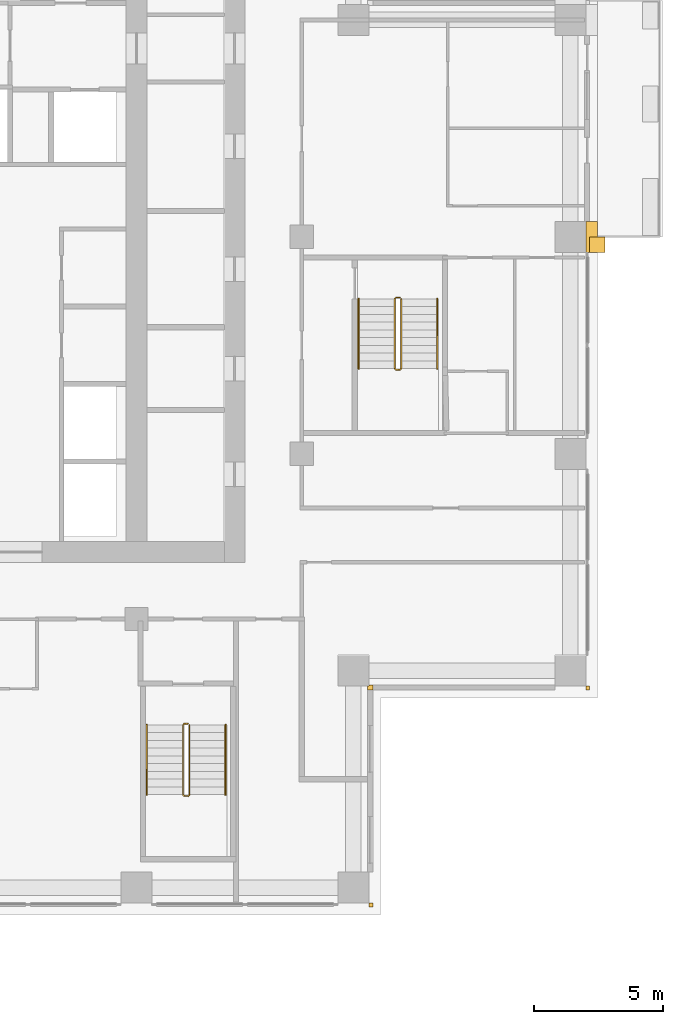
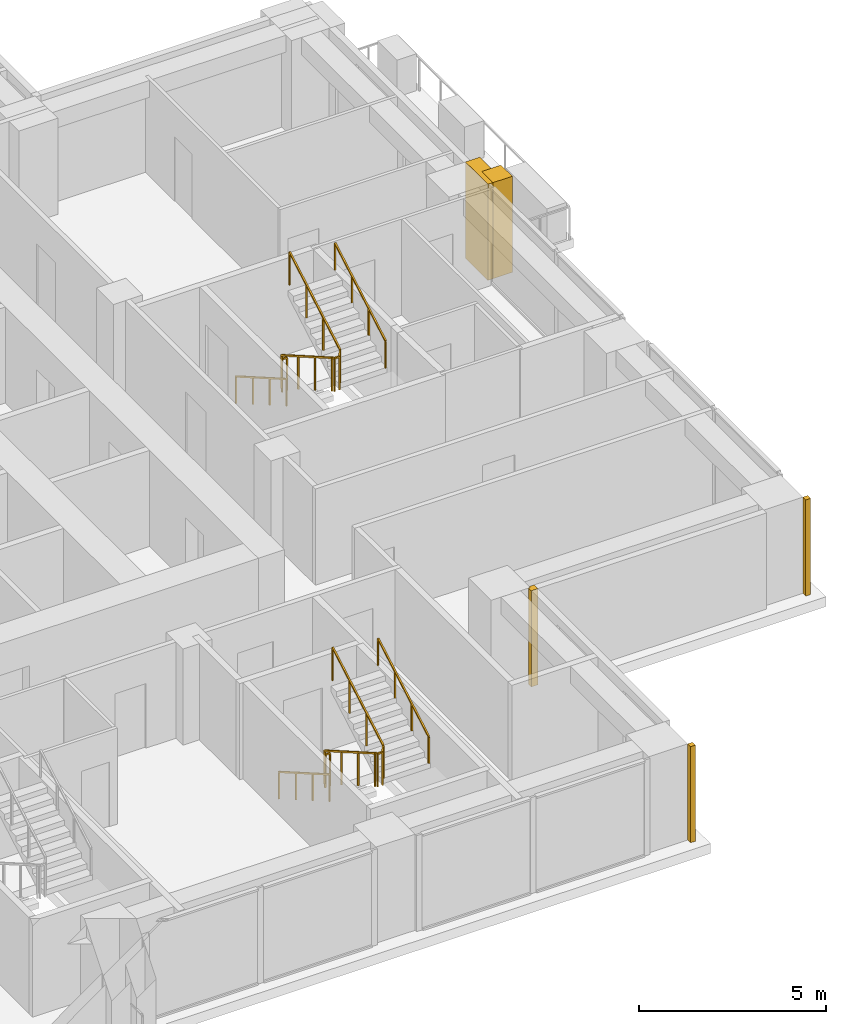
# One storey, part 14 of 16: 6 railings, 5 coverings.
"""IFC4 building model written with IfcOpenShell, lengths in metres."""

import ifcopenshell
import ifcopenshell.guid

model = None  # the IFC model being written
_history = None  # IfcOwnerHistory: only IFC2X3 demands one
_inside = {}  # id of a spatial element -> (the spatial element, [elements in it])
_under = {}  # id of a project, library or spatial element -> (it, [spatial elements below it])
_declared = {}  # id of a project -> (the project, [libraries it declares])
_typed = {}  # id of a type object -> (the type object, [elements of that type])
_made_of = {}  # id of a material, layer set ... -> (it, [elements and type objects made of it])


def new_model(schema):
    """Start an empty IFC model of exactly this schema.

    Asked for "IFC4X3", IfcOpenShell would pick the latest addendum, in which some entities
    have other attributes; the version numbers below select the first issue.
    IFC2X3 requires an IfcOwnerHistory on every rooted entity: one is made here for all.
    """
    global model, _history
    if schema == "IFC4X3":
        model = ifcopenshell.file(schema_version=(4, 3, 0, 0))
    else:
        model = ifcopenshell.file(schema=schema)
    _inside.clear()
    _under.clear()
    _declared.clear()
    _typed.clear()
    _made_of.clear()
    _history = None
    if model.schema == "IFC2X3":
        org = make("IfcOrganization", Name="unknown")
        user = make(
            "IfcPersonAndOrganization",
            ThePerson=make("IfcPerson", FamilyName="unknown"),
            TheOrganization=org,
        )
        app = make(
            "IfcApplication",
            ApplicationDeveloper=org,
            Version="unknown",
            ApplicationFullName="unknown",
            ApplicationIdentifier="unknown",
        )
        _history = make(
            "IfcOwnerHistory",
            OwningUser=user,
            OwningApplication=app,
            ChangeAction="ADDED",
            CreationDate=0,
        )
    return model


def make(cls, **values):
    """One entity of the class cls with the attributes given. An attribute that is None is left unset."""
    return model.create_entity(
        cls, **{name: value for name, value in values.items() if value is not None}
    )


def rooted(cls, **values):
    """An entity with a GlobalId (a new one), such as an element, a storey or a relation."""
    return make(cls, GlobalId=ifcopenshell.guid.new(), OwnerHistory=_history, **values)


def si_unit(unit_type, name, prefix=None):
    """IfcSIUnit, for example si_unit("LENGTHUNIT", "METRE", prefix="MILLI")."""
    return make("IfcSIUnit", UnitType=unit_type, Prefix=prefix, Name=name)


def assignment(units):
    """IfcUnitAssignment: the units of a project."""
    return None if units is None else make("IfcUnitAssignment", Units=units)


def point(xyz):
    """IfcCartesianPoint."""
    return None if xyz is None else make("IfcCartesianPoint", Coordinates=xyz)


def direction(xyz):
    """IfcDirection."""
    return None if xyz is None else make("IfcDirection", DirectionRatios=xyz)


def frame(location, z_axis=None, x_axis=None):
    """IfcAxis2Placement3D, a coordinate frame: its origin and axes. An axis left out is left unset."""
    return make(
        "IfcAxis2Placement3D",
        Location=point(location),
        Axis=direction(z_axis),
        RefDirection=direction(x_axis),
    )


def frame_2d(location, x_axis=None):
    """IfcAxis2Placement2D, a coordinate frame in the plane: its origin and x axis."""
    return make(
        "IfcAxis2Placement2D", Location=point(location), RefDirection=direction(x_axis)
    )


def origin():
    """The frame at (0, 0, 0) with its axes left unset."""
    return frame((0.0, 0.0, 0.0))


def origin_2d():
    """The frame at (0, 0) in the plane with its x axis left unset."""
    return frame_2d((0.0, 0.0))


def place(relative_to, where):
    """IfcLocalPlacement: puts the frame where relative to a parent placement (None: the world)."""
    return make(
        "IfcLocalPlacement", PlacementRelTo=relative_to, RelativePlacement=where
    )


def context(
    kind, dimensions, precision=None, world=None, true_north=None, identifier=None
):
    """IfcGeometricRepresentationContext, for example the 3D "Model" context."""
    return make(
        "IfcGeometricRepresentationContext",
        ContextIdentifier=identifier,
        ContextType=kind,
        CoordinateSpaceDimension=dimensions,
        Precision=precision,
        WorldCoordinateSystem=world,
        TrueNorth=true_north,
    )


def subcontext(parent, identifier, kind, view, scale=None):
    """IfcGeometricRepresentationSubContext, for example "Body" below "Model"."""
    return make(
        "IfcGeometricRepresentationSubContext",
        ContextIdentifier=identifier,
        ContextType=kind,
        ParentContext=parent,
        TargetScale=scale,
        TargetView=view,
    )


def project(units=None, contexts=None):
    """IfcProject with its units and contexts."""
    return rooted(
        "IfcProject",
        Name="project",
        RepresentationContexts=contexts,
        UnitsInContext=assignment(units),
    )


def spatial(cls, under=None, at=None, **own):
    """A site, building, storey or space (cls), placed at a placement, below another one or the project."""
    s = rooted(cls, ObjectPlacement=at, **own)
    if under is not None:
        _under.setdefault(under.id(), (under, []))[1].append(s)
    return s


def polyline(points):
    """IfcPolyline through the points."""
    return make("IfcPolyline", Points=[point(p) for p in points])


def profile(cls, at=None, kind="AREA", **sizes):
    """A parametric profile (cls). Its sizes go by their IFC names, for example OverallWidth=200.0."""
    return make(cls, ProfileType=kind, Position=at, **sizes)


def rectangle(**sizes):
    """IfcRectangleProfileDef."""
    return profile("IfcRectangleProfileDef", **sizes)


def outline(outer, holes=None, kind="AREA"):
    """IfcArbitraryClosedProfileDef: a profile drawn as a closed curve; with holes, ...WithVoids."""
    if holes is None:
        return make("IfcArbitraryClosedProfileDef", ProfileType=kind, OuterCurve=outer)
    return make(
        "IfcArbitraryProfileDefWithVoids",
        ProfileType=kind,
        OuterCurve=outer,
        InnerCurves=holes,
    )


def extrude(swept, where, along, depth):
    """IfcExtrudedAreaSolid: the profile swept, set in the frame where, extruded along a direction by depth."""
    return make(
        "IfcExtrudedAreaSolid",
        SweptArea=swept,
        Position=where,
        ExtrudedDirection=direction(along),
        Depth=depth,
    )


def shape(context_of_items, identifier, shape_type, items):
    """IfcShapeRepresentation: the items that make up one representation, for example the "Body"."""
    return make(
        "IfcShapeRepresentation",
        ContextOfItems=context_of_items,
        RepresentationIdentifier=identifier,
        RepresentationType=shape_type,
        Items=items,
    )


def material(Name=None, Category=None):
    """IfcMaterial."""
    return make("IfcMaterial", Name=Name, Category=Category)


def made_of(thing, what):
    """Note that an element or type object is made of a material, layer set ...; save() writes the relation."""
    if what is not None:
        _made_of.setdefault(what.id(), (what, []))[1].append(thing)
    return thing


def type_object(cls, material=None, **own):
    """A type object (cls), such as IfcWallType, which elements share."""
    return made_of(rooted(cls, **own), material)


def element(
    cls,
    number,
    at=None,
    inside=None,
    cuts=None,
    type_object=None,
    material=None,
    context=None,
    identifier="Body",
    shape_type=None,
    held_by="IfcProductDefinitionShape",
    body=None,
    shapes=None,
    **own,
):
    """One element of the class cls, such as IfcWall. Its Tag is "e" and its number.

    at: its placement. inside: the storey or other place that contains it. cuts: it is an
    opening in that element (IfcRelVoidsElement). A single representation is given by context,
    identifier, shape_type and body (its items); several are given by shapes. held_by: the class
    of the entity that holds the representations. save() writes the other relations.
    """
    e = rooted(cls, Tag="e%d" % number, ObjectPlacement=at, **own)
    if body is not None:
        shapes = [shape(context, identifier, shape_type, body)]
    if shapes is not None:
        e.Representation = make(held_by, Representations=shapes)
    if inside is not None:
        _inside.setdefault(inside.id(), (inside, []))[1].append(e)
    if cuts is not None:
        rooted(
            "IfcRelVoidsElement", RelatingBuildingElement=cuts, RelatedOpeningElement=e
        )
    if type_object is not None:
        _typed.setdefault(type_object.id(), (type_object, []))[1].append(e)
    return made_of(e, material)


def aggregate(whole, parts):
    """IfcRelAggregates: a whole, such as a stair, and the parts it consists of."""
    return rooted("IfcRelAggregates", RelatingObject=whole, RelatedObjects=parts)


def save(model, path):
    """Write the relations noted so far, then the file.

    IfcRelAggregates (storeys below a building ...), IfcRelContainedInSpatialStructure (elements
    in a storey), IfcRelDefinesByType, IfcRelAssociatesMaterial and IfcRelDeclares: one each for
    every whole, place, type object, material and project.
    """
    for whole, parts in _under.values():
        aggregate(whole, parts)
    for where, things in _inside.values():
        rooted(
            "IfcRelContainedInSpatialStructure",
            RelatedElements=things,
            RelatingStructure=where,
        )
    for kind, things in _typed.values():
        rooted("IfcRelDefinesByType", RelatedObjects=things, RelatingType=kind)
    for what, things in _made_of.values():
        rooted("IfcRelAssociatesMaterial", RelatedObjects=things, RelatingMaterial=what)
    for by, libraries in _declared.values():
        rooted("IfcRelDeclares", RelatingContext=by, RelatedDefinitions=libraries)
    model.write(path)


model = new_model("IFC4")

# Units and contexts
model_context = context("Model", 3, precision=1e-05, world=origin(), true_north=direction((0.0, 1.0)))
body_context = subcontext(model_context, "Body", "Model", "MODEL_VIEW")
ifc_project = project(units=[si_unit("LENGTHUNIT", "METRE"), si_unit("AREAUNIT", "SQUARE_METRE"), si_unit("VOLUMEUNIT", "CUBIC_METRE"), si_unit("PLANEANGLEUNIT", "RADIAN"), si_unit("MASSUNIT", "GRAM", prefix="KILO")], contexts=[model_context])

# Site, building, storey
site_placement = place(None, origin())
site = spatial("IfcSite", under=ifc_project, at=site_placement, CompositionType="ELEMENT")
building_placement = place(site_placement, origin())
building = spatial("IfcBuilding", under=site, at=building_placement, Name="Vermilion Ogive Tower", CompositionType="ELEMENT")
storey_placement = place(building_placement, frame((0.0, 0.0, 114.89990234375)))
storey = spatial("IfcBuildingStorey", under=building, at=storey_placement, Name="L29", CompositionType="ELEMENT", Elevation=114.89990234375)

# Railings
ifc_material_1 = material(Name="Steel S355 painted", Category="steel")
railing_type_1 = type_object("IfcRailingType", Name="Stair guard 1100", PredefinedType="GUARDRAIL", material=ifc_material_1)
railing_1_placement = place(storey_placement, frame((10.39990234375, -14.64990234375, 0.0)))
element("IfcRailing", 1, at=railing_1_placement, inside=storey, type_object=railing_type_1, Name="L29 ST5 stair guard 4", PredefinedType="GUARDRAIL", context=body_context, shape_type="SweptSolid", body=[
    extrude(rectangle(XDim=0.048095703125, YDim=0.048095703125, at=origin_2d()), frame((0.0, 0.0, 1.076171875), z_axis=(-1.0, 0.0, 0.0), x_axis=(0.0, -1.0, 0.0)), (0.0, 0.0, 1.0), 0.14990234375),
    extrude(rectangle(XDim=0.048095703125, YDim=0.048095703125, at=origin_2d()), frame((-0.14990234375, 0.0, 1.076171875), z_axis=(-0.268277960024, -0.268277960024, 0.925231793839), x_axis=(0.707106781187, -0.707106781187, 0.0)), (0.0, 0.0, 1.0), 0.1865234375),
    extrude(rectangle(XDim=0.048095703125, YDim=0.048095703125, at=origin_2d()), frame((-0.199951171875, -0.050048828125, 1.24853515625), z_axis=(0.0, -0.866903762492, 0.498475542607), x_axis=(1.0, 0.0, 0.0)), (0.0, 0.0, 1.0), 3.114501953125),
    extrude(rectangle(XDim=0.048095703125, YDim=0.048095703125, at=origin_2d()), frame((-0.199951171875, -2.75, 2.80126953125), z_axis=(0.707106781187, -0.707106781187, 0.0), x_axis=(0.707106781187, 0.707106781187, 0.0)), (0.0, 0.0, 1.0), 0.07080078125),
    extrude(rectangle(XDim=0.048095703125, YDim=0.048095703125, at=origin_2d()), frame((-0.14990234375, -2.800048828125, 2.80126953125), z_axis=(1.0, 0.0, 0.0), x_axis=(0.0, 1.0, 0.0)), (0.0, 0.0, 1.0), 0.14990234375),
    extrude(rectangle(XDim=0.048095703125, YDim=0.048095703125, at=origin_2d()), frame((0.0, -2.800048828125, 2.80126953125), z_axis=(0.268277960024, 0.268277960024, 0.925231793839), x_axis=(-0.707106781187, 0.707106781187, 0.0)), (0.0, 0.0, 1.0), 0.1865234375),
    extrude(rectangle(XDim=0.048095703125, YDim=0.048095703125, at=origin_2d()), frame((0.050048828125, -2.75, 2.9736328125), z_axis=(0.0, 0.866903762492, 0.498475542607), x_axis=(-1.0, 0.0, 0.0)), (0.0, 0.0, 1.0), 3.114501953125),
    extrude(rectangle(XDim=0.0419921875, YDim=0.0419921875, at=origin_2d()), origin(), (0.0, 0.0, 1.0), 1.052001953125),
    extrude(rectangle(XDim=0.0419921875, YDim=0.0419921875, at=origin_2d()), frame((-0.14990234375, 0.0, 0.0)), (0.0, 0.0, 1.0), 1.052001953125),
    extrude(rectangle(XDim=0.0419921875, YDim=0.0419921875, at=origin_2d()), frame((-0.199951171875, -0.050048828125, 0.172607421875)), (0.0, 0.0, 1.0), 1.052001953125),
    extrude(rectangle(XDim=0.0419921875, YDim=0.0419921875, at=origin_2d()), frame((-0.199951171875, -0.949951171875, 0.690185546875)), (0.0, 0.0, 1.0), 1.052001953125),
    extrude(rectangle(XDim=0.0419921875, YDim=0.0419921875, at=origin_2d()), frame((-0.199951171875, -1.85009765625, 1.20751953125)), (0.0, 0.0, 1.0), 1.052001953125),
    extrude(rectangle(XDim=0.0419921875, YDim=0.0419921875, at=origin_2d()), frame((-0.199951171875, -2.75, 1.72509765625)), (0.0, 0.0, 1.0), 1.052001953125),
    extrude(rectangle(XDim=0.0419921875, YDim=0.0419921875, at=origin_2d()), frame((-0.14990234375, -2.800048828125, 1.72509765625)), (0.0, 0.0, 1.0), 1.052001953125),
    extrude(rectangle(XDim=0.0419921875, YDim=0.0419921875, at=origin_2d()), frame((0.0, -2.800048828125, 1.72509765625)), (0.0, 0.0, 1.0), 1.052001953125),
    extrude(rectangle(XDim=0.0419921875, YDim=0.0419921875, at=origin_2d()), frame((0.050048828125, -2.75, 1.897705078125)), (0.0, 0.0, 1.0), 1.052001953125),
    extrude(rectangle(XDim=0.0419921875, YDim=0.0419921875, at=origin_2d()), frame((0.050048828125, -1.85009765625, 2.415283203125)), (0.0, 0.0, 1.0), 1.052001953125),
    extrude(rectangle(XDim=0.0419921875, YDim=0.0419921875, at=origin_2d()), frame((0.050048828125, -0.949951171875, 2.9326171875)), (0.0, 0.0, 1.0), 1.052001953125),
    extrude(rectangle(XDim=0.0419921875, YDim=0.0419921875, at=origin_2d()), frame((0.050048828125, -0.050048828125, 3.4501953125)), (0.0, 0.0, 1.0), 1.052001953125),
])
railing_2_placement = place(storey_placement, frame((18.60009765625, 1.85009765625, 0.0)))
element("IfcRailing", 2, at=railing_2_placement, inside=storey, type_object=railing_type_1, Name="L29 ST8 stair guard 4", PredefinedType="GUARDRAIL", context=body_context, shape_type="SweptSolid", body=[
    extrude(rectangle(XDim=0.048095703125, YDim=0.048095703125, at=origin_2d()), frame((0.0, 0.0, 1.076171875), z_axis=(-1.0, 0.0, 0.0), x_axis=(0.0, -1.0, 0.0)), (0.0, 0.0, 1.0), 0.150146484375),
    extrude(rectangle(XDim=0.048095703125, YDim=0.048095703125, at=origin_2d()), frame((-0.150146484375, 0.0, 1.076171875), z_axis=(-0.268277960024, -0.268277960024, 0.925231793839), x_axis=(0.707106781187, -0.707106781187, 0.0)), (0.0, 0.0, 1.0), 0.1865234375),
    extrude(rectangle(XDim=0.048095703125, YDim=0.048095703125, at=origin_2d()), frame((-0.2001953125, -0.050048828125, 1.24853515625), z_axis=(0.0, -0.866903762492, 0.498475542607), x_axis=(1.0, 0.0, 0.0)), (0.0, 0.0, 1.0), 3.114501953125),
    extrude(rectangle(XDim=0.048095703125, YDim=0.048095703125, at=origin_2d()), frame((-0.2001953125, -2.75, 2.80126953125), z_axis=(0.707106781187, -0.707106781187, 0.0), x_axis=(0.707106781187, 0.707106781187, 0.0)), (0.0, 0.0, 1.0), 0.07080078125),
    extrude(rectangle(XDim=0.048095703125, YDim=0.048095703125, at=origin_2d()), frame((-0.150146484375, -2.800048828125, 2.80126953125), z_axis=(1.0, 0.0, 0.0), x_axis=(0.0, 1.0, 0.0)), (0.0, 0.0, 1.0), 0.150146484375),
    extrude(rectangle(XDim=0.048095703125, YDim=0.048095703125, at=origin_2d()), frame((0.0, -2.800048828125, 2.80126953125), z_axis=(0.267062837333, 0.268371968888, 0.925556009775), x_axis=(-0.708833529934, 0.705375805398, 0.0)), (0.0, 0.0, 1.0), 0.1865234375),
    extrude(rectangle(XDim=0.048095703125, YDim=0.048095703125, at=origin_2d()), frame((0.0498046875, -2.75, 2.9736328125), z_axis=(0.0, 0.866903762492, 0.498475542607), x_axis=(-1.0, 0.0, 0.0)), (0.0, 0.0, 1.0), 3.114501953125),
    extrude(rectangle(XDim=0.0419921875, YDim=0.0419921875, at=origin_2d()), origin(), (0.0, 0.0, 1.0), 1.052001953125),
    extrude(rectangle(XDim=0.0419921875, YDim=0.0419921875, at=origin_2d()), frame((-0.150146484375, 0.0, 0.0)), (0.0, 0.0, 1.0), 1.052001953125),
    extrude(rectangle(XDim=0.0419921875, YDim=0.0419921875, at=origin_2d()), frame((-0.2001953125, -0.050048828125, 0.172607421875)), (0.0, 0.0, 1.0), 1.052001953125),
    extrude(rectangle(XDim=0.0419921875, YDim=0.0419921875, at=origin_2d()), frame((-0.2001953125, -0.949951171875, 0.690185546875)), (0.0, 0.0, 1.0), 1.052001953125),
    extrude(rectangle(XDim=0.0419921875, YDim=0.0419921875, at=origin_2d()), frame((-0.2001953125, -1.85009765625, 1.20751953125)), (0.0, 0.0, 1.0), 1.052001953125),
    extrude(rectangle(XDim=0.0419921875, YDim=0.0419921875, at=origin_2d()), frame((-0.2001953125, -2.75, 1.72509765625)), (0.0, 0.0, 1.0), 1.052001953125),
    extrude(rectangle(XDim=0.0419921875, YDim=0.0419921875, at=origin_2d()), frame((-0.150146484375, -2.800048828125, 1.72509765625)), (0.0, 0.0, 1.0), 1.052001953125),
    extrude(rectangle(XDim=0.0419921875, YDim=0.0419921875, at=origin_2d()), frame((0.0, -2.800048828125, 1.72509765625)), (0.0, 0.0, 1.0), 1.052001953125),
    extrude(rectangle(XDim=0.0419921875, YDim=0.0419921875, at=origin_2d()), frame((0.0498046875, -2.75, 1.897705078125)), (0.0, 0.0, 1.0), 1.052001953125),
    extrude(rectangle(XDim=0.0419921875, YDim=0.0419921875, at=origin_2d()), frame((0.0498046875, -1.85009765625, 2.415283203125)), (0.0, 0.0, 1.0), 1.052001953125),
    extrude(rectangle(XDim=0.0419921875, YDim=0.0419921875, at=origin_2d()), frame((0.0498046875, -0.949951171875, 2.9326171875)), (0.0, 0.0, 1.0), 1.052001953125),
    extrude(rectangle(XDim=0.0419921875, YDim=0.0419921875, at=origin_2d()), frame((0.0498046875, -0.050048828125, 3.4501953125)), (0.0, 0.0, 1.0), 1.052001953125),
])
ifc_material_2 = material(Name="Stainless steel", Category="steel")
railing_type_2 = type_object("IfcRailingType", Name="Stair handrail 900", PredefinedType="HANDRAIL", material=ifc_material_2)
railing_3_placement = place(storey_placement, frame((8.800048828125, -14.699951171875, 0.172607421875)))
element("IfcRailing", 3, at=railing_3_placement, inside=storey, type_object=railing_type_2, Name="L29 ST5 stair handrail 1", PredefinedType="HANDRAIL", context=body_context, shape_type="SweptSolid", body=[
    extrude(rectangle(XDim=0.048095703125, YDim=0.048095703125, at=origin_2d()), frame((0.0, 0.0, 0.8759765625), z_axis=(0.0, -0.866903762492, 0.498475542607), x_axis=(1.0, 0.0, 0.0)), (0.0, 0.0, 1.0), 3.114501953125),
    extrude(rectangle(XDim=0.0419921875, YDim=0.0419921875, at=origin_2d()), origin(), (0.0, 0.0, 1.0), 0.851806640625),
    extrude(rectangle(XDim=0.0419921875, YDim=0.0419921875, at=origin_2d()), frame((0.0, -0.89990234375, 0.517578125)), (0.0, 0.0, 1.0), 0.851806640625),
    extrude(rectangle(XDim=0.0419921875, YDim=0.0419921875, at=origin_2d()), frame((0.0, -1.800048828125, 1.034912109375)), (0.0, 0.0, 1.0), 0.851806640625),
    extrude(rectangle(XDim=0.0419921875, YDim=0.0419921875, at=origin_2d()), frame((0.0, -2.699951171875, 1.552490234375)), (0.0, 0.0, 1.0), 0.851806640625),
])
railing_4_placement = place(storey_placement, frame((11.85009765625, -17.39990234375, 1.897705078125)))
element("IfcRailing", 4, at=railing_4_placement, inside=storey, type_object=railing_type_2, Name="L29 ST5 stair handrail 2", PredefinedType="HANDRAIL", context=body_context, shape_type="SweptSolid", body=[
    extrude(rectangle(XDim=0.048095703125, YDim=0.048095703125, at=origin_2d()), frame((0.0, 0.0, 0.8759765625), z_axis=(0.0, 0.866903762492, 0.498475542607), x_axis=(-1.0, 0.0, 0.0)), (0.0, 0.0, 1.0), 3.114501953125),
    extrude(rectangle(XDim=0.0419921875, YDim=0.0419921875, at=origin_2d()), origin(), (0.0, 0.0, 1.0), 0.851806640625),
    extrude(rectangle(XDim=0.0419921875, YDim=0.0419921875, at=origin_2d()), frame((0.0, 0.89990234375, 0.517578125)), (0.0, 0.0, 1.0), 0.851806640625),
    extrude(rectangle(XDim=0.0419921875, YDim=0.0419921875, at=origin_2d()), frame((0.0, 1.800048828125, 1.034912109375)), (0.0, 0.0, 1.0), 0.851806640625),
    extrude(rectangle(XDim=0.0419921875, YDim=0.0419921875, at=origin_2d()), frame((0.0, 2.699951171875, 1.552490234375)), (0.0, 0.0, 1.0), 0.851806640625),
])
railing_5_placement = place(storey_placement, frame((17.0, 1.800048828125, 0.172607421875)))
element("IfcRailing", 5, at=railing_5_placement, inside=storey, type_object=railing_type_2, Name="L29 ST8 stair handrail 1", PredefinedType="HANDRAIL", context=body_context, shape_type="SweptSolid", body=[
    extrude(rectangle(XDim=0.048095703125, YDim=0.048095703125, at=origin_2d()), frame((0.0, 0.0, 0.8759765625), z_axis=(0.0, -0.866903762492, 0.498475542607), x_axis=(1.0, 0.0, 0.0)), (0.0, 0.0, 1.0), 3.114501953125),
    extrude(rectangle(XDim=0.0419921875, YDim=0.0419921875, at=origin_2d()), origin(), (0.0, 0.0, 1.0), 0.851806640625),
    extrude(rectangle(XDim=0.0419921875, YDim=0.0419921875, at=origin_2d()), frame((0.0, -0.89990234375, 0.517578125)), (0.0, 0.0, 1.0), 0.851806640625),
    extrude(rectangle(XDim=0.0419921875, YDim=0.0419921875, at=origin_2d()), frame((0.0, -1.800048828125, 1.034912109375)), (0.0, 0.0, 1.0), 0.851806640625),
    extrude(rectangle(XDim=0.0419921875, YDim=0.0419921875, at=origin_2d()), frame((0.0, -2.699951171875, 1.552490234375)), (0.0, 0.0, 1.0), 0.851806640625),
])
railing_6_placement = place(storey_placement, frame((20.050048828125, -0.89990234375, 1.897705078125)))
element("IfcRailing", 6, at=railing_6_placement, inside=storey, type_object=railing_type_2, Name="L29 ST8 stair handrail 2", PredefinedType="HANDRAIL", context=body_context, shape_type="SweptSolid", body=[
    extrude(rectangle(XDim=0.048095703125, YDim=0.048095703125, at=origin_2d()), frame((0.0, 0.0, 0.8759765625), z_axis=(0.0, 0.866903762492, 0.498475542607), x_axis=(-1.0, 0.0, 0.0)), (0.0, 0.0, 1.0), 3.114501953125),
    extrude(rectangle(XDim=0.0419921875, YDim=0.0419921875, at=origin_2d()), origin(), (0.0, 0.0, 1.0), 0.851806640625),
    extrude(rectangle(XDim=0.0419921875, YDim=0.0419921875, at=origin_2d()), frame((0.0, 0.89990234375, 0.517578125)), (0.0, 0.0, 1.0), 0.851806640625),
    extrude(rectangle(XDim=0.0419921875, YDim=0.0419921875, at=origin_2d()), frame((0.0, 1.800048828125, 1.034912109375)), (0.0, 0.0, 1.0), 0.851806640625),
    extrude(rectangle(XDim=0.0419921875, YDim=0.0419921875, at=origin_2d()), frame((0.0, 2.699951171875, 1.552490234375)), (0.0, 0.0, 1.0), 0.851806640625),
])

# Coverings
ifc_material_3 = material(Name="Stone cladding", Category="masonry")
covering_type_1 = type_object("IfcCoveringType", Name="Stone corner buttress", PredefinedType="CLADDING", material=ifc_material_3)
covering_1_placement = place(storey_placement, origin())
element("IfcCovering", 7, at=covering_1_placement, inside=storey, type_object=covering_type_1, Name="Stone crease pier EK", PredefinedType="CLADDING", context=body_context, shape_type="SweptSolid", body=[
    extrude(outline(polyline([(26.550048828125, 3.60009765625), (26.550048828125, 4.199951171875), (25.949951171875, 4.199951171875), (25.949951171875, 3.60009765625), (26.550048828125, 3.60009765625)])), origin(), (0.0, 0.0, 1.0), 3.130126953125),
])
ifc_material_4 = material(Name="Stone cladding", Category="masonry")
covering_type_2 = type_object("IfcCoveringType", Name="Stone pier", PredefinedType="CLADDING", material=ifc_material_4)
covering_2_placement = place(storey_placement, origin())
element("IfcCovering", 8, at=covering_2_placement, inside=storey, type_object=covering_type_2, Name="Stone corner pier SE1", PredefinedType="CLADDING", context=body_context, shape_type="SweptSolid", body=[
    extrude(outline(polyline([(17.39990234375, -21.75), (17.39990234375, -21.60009765625), (17.39990234375, -21.60009765625), (17.550048828125, -21.60009765625), (17.550048828125, -21.75), (17.39990234375, -21.75)])), origin(), (0.0, 0.0, 1.0), 3.130126953125),
])
covering_3_placement = place(storey_placement, origin())
element("IfcCovering", 9, at=covering_3_placement, inside=storey, type_object=covering_type_2, Name="Stone corner pier X1E1", PredefinedType="CLADDING", context=body_context, shape_type="SweptSolid", body=[
    extrude(outline(polyline([(17.35009765625, -13.199951171875), (17.39990234375, -13.199951171875), (17.39990234375, -13.14990234375), (17.550048828125, -13.14990234375), (17.550048828125, -13.35009765625), (17.35009765625, -13.35009765625), (17.35009765625, -13.199951171875)])), origin(), (0.0, 0.0, 1.0), 3.130126953125),
])
covering_4_placement = place(storey_placement, origin())
element("IfcCovering", 10, at=covering_4_placement, inside=storey, type_object=covering_type_2, Name="Stone corner pier X2E1", PredefinedType="CLADDING", context=body_context, shape_type="SweptSolid", body=[
    extrude(outline(polyline([(25.800048828125, -13.35009765625), (25.800048828125, -13.199951171875), (25.949951171875, -13.199951171875), (25.949951171875, -13.35009765625), (25.800048828125, -13.35009765625)])), origin(), (0.0, 0.0, 1.0), 3.130126953125),
])
covering_5_placement = place(storey_placement, origin())
element("IfcCovering", 11, at=covering_5_placement, inside=storey, type_object=covering_type_2, Name="Stone pier P+0252+042", PredefinedType="CLADDING", context=body_context, shape_type="SweptSolid", body=[
    extrude(outline(polyline([(25.800048828125, 4.800048828125), (25.800048828125, 4.800048828125), (26.25, 4.800048828125), (26.25, 4.199951171875), (25.949951171875, 4.199951171875), (25.949951171875, 3.60009765625), (26.25, 3.60009765625), (26.25, 3.60009765625), (25.800048828125, 3.60009765625), (25.800048828125, 3.60009765625), (25.800048828125, 4.800048828125)])), origin(), (0.0, 0.0, 1.0), 3.130126953125),
])

save(model, "model.ifc")
